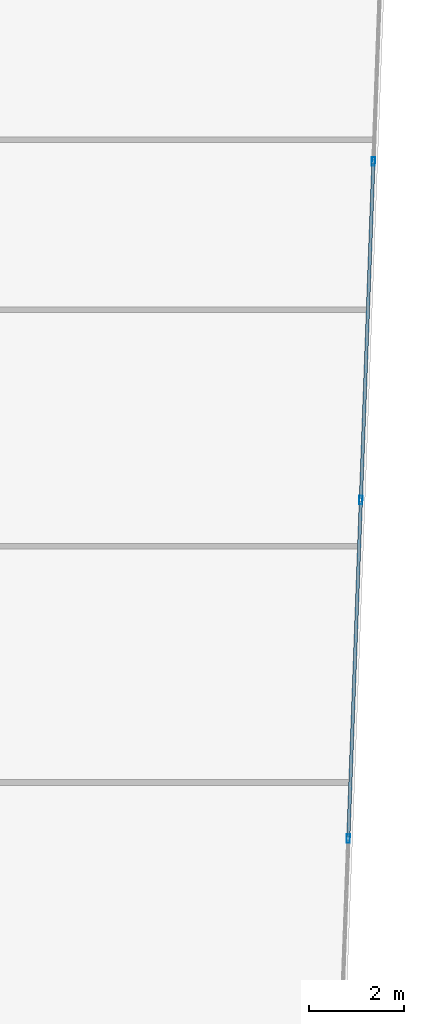
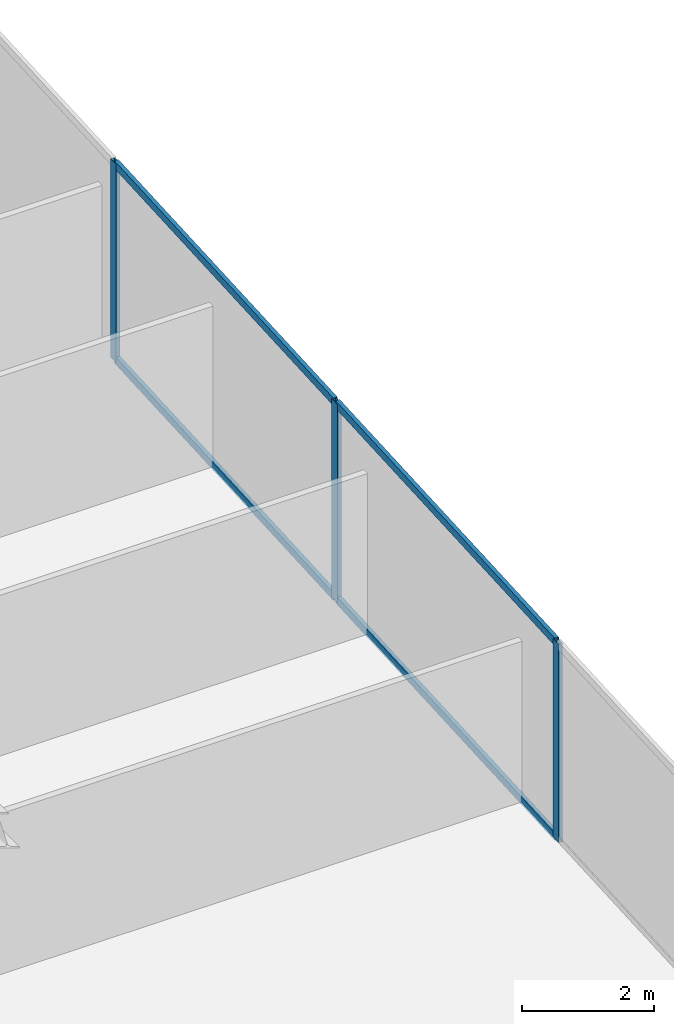
# One storey, part 16 of 30: 7 members, 1 element without a shape of its own.
"""IFC4 building model written with IfcOpenShell, lengths in metres."""

import ifcopenshell
import ifcopenshell.guid

model = None  # the IFC model being written
_history = None  # IfcOwnerHistory: only IFC2X3 demands one
_inside = {}  # id of a spatial element -> (the spatial element, [elements in it])
_under = {}  # id of a project, library or spatial element -> (it, [spatial elements below it])
_declared = {}  # id of a project -> (the project, [libraries it declares])
_typed = {}  # id of a type object -> (the type object, [elements of that type])
_made_of = {}  # id of a material, layer set ... -> (it, [elements and type objects made of it])


def new_model(schema):
    """Start an empty IFC model of exactly this schema.

    Asked for "IFC4X3", IfcOpenShell would pick the latest addendum, in which some entities
    have other attributes; the version numbers below select the first issue.
    IFC2X3 requires an IfcOwnerHistory on every rooted entity: one is made here for all.
    """
    global model, _history
    if schema == "IFC4X3":
        model = ifcopenshell.file(schema_version=(4, 3, 0, 0))
    else:
        model = ifcopenshell.file(schema=schema)
    _inside.clear()
    _under.clear()
    _declared.clear()
    _typed.clear()
    _made_of.clear()
    _history = None
    if model.schema == "IFC2X3":
        org = make("IfcOrganization", Name="unknown")
        user = make(
            "IfcPersonAndOrganization",
            ThePerson=make("IfcPerson", FamilyName="unknown"),
            TheOrganization=org,
        )
        app = make(
            "IfcApplication",
            ApplicationDeveloper=org,
            Version="unknown",
            ApplicationFullName="unknown",
            ApplicationIdentifier="unknown",
        )
        _history = make(
            "IfcOwnerHistory",
            OwningUser=user,
            OwningApplication=app,
            ChangeAction="ADDED",
            CreationDate=0,
        )
    return model


def make(cls, **values):
    """One entity of the class cls with the attributes given. An attribute that is None is left unset."""
    return model.create_entity(
        cls, **{name: value for name, value in values.items() if value is not None}
    )


def rooted(cls, **values):
    """An entity with a GlobalId (a new one), such as an element, a storey or a relation."""
    return make(cls, GlobalId=ifcopenshell.guid.new(), OwnerHistory=_history, **values)


def si_unit(unit_type, name, prefix=None):
    """IfcSIUnit, for example si_unit("LENGTHUNIT", "METRE", prefix="MILLI")."""
    return make("IfcSIUnit", UnitType=unit_type, Prefix=prefix, Name=name)


def assignment(units):
    """IfcUnitAssignment: the units of a project."""
    return None if units is None else make("IfcUnitAssignment", Units=units)


def point(xyz):
    """IfcCartesianPoint."""
    return None if xyz is None else make("IfcCartesianPoint", Coordinates=xyz)


def direction(xyz):
    """IfcDirection."""
    return None if xyz is None else make("IfcDirection", DirectionRatios=xyz)


def frame(location, z_axis=None, x_axis=None):
    """IfcAxis2Placement3D, a coordinate frame: its origin and axes. An axis left out is left unset."""
    return make(
        "IfcAxis2Placement3D",
        Location=point(location),
        Axis=direction(z_axis),
        RefDirection=direction(x_axis),
    )


def frame_2d(location, x_axis=None):
    """IfcAxis2Placement2D, a coordinate frame in the plane: its origin and x axis."""
    return make(
        "IfcAxis2Placement2D", Location=point(location), RefDirection=direction(x_axis)
    )


def origin():
    """The frame at (0, 0, 0) with its axes left unset."""
    return frame((0.0, 0.0, 0.0))


def origin_2d():
    """The frame at (0, 0) in the plane with its x axis left unset."""
    return frame_2d((0.0, 0.0))


def place(relative_to, where):
    """IfcLocalPlacement: puts the frame where relative to a parent placement (None: the world)."""
    return make(
        "IfcLocalPlacement", PlacementRelTo=relative_to, RelativePlacement=where
    )


def context(
    kind, dimensions, precision=None, world=None, true_north=None, identifier=None
):
    """IfcGeometricRepresentationContext, for example the 3D "Model" context."""
    return make(
        "IfcGeometricRepresentationContext",
        ContextIdentifier=identifier,
        ContextType=kind,
        CoordinateSpaceDimension=dimensions,
        Precision=precision,
        WorldCoordinateSystem=world,
        TrueNorth=true_north,
    )


def subcontext(parent, identifier, kind, view, scale=None):
    """IfcGeometricRepresentationSubContext, for example "Body" below "Model"."""
    return make(
        "IfcGeometricRepresentationSubContext",
        ContextIdentifier=identifier,
        ContextType=kind,
        ParentContext=parent,
        TargetScale=scale,
        TargetView=view,
    )


def project(units=None, contexts=None):
    """IfcProject with its units and contexts."""
    return rooted(
        "IfcProject",
        Name="project",
        RepresentationContexts=contexts,
        UnitsInContext=assignment(units),
    )


def spatial(cls, under=None, at=None, **own):
    """A site, building, storey or space (cls), placed at a placement, below another one or the project."""
    s = rooted(cls, ObjectPlacement=at, **own)
    if under is not None:
        _under.setdefault(under.id(), (under, []))[1].append(s)
    return s


def profile(cls, at=None, kind="AREA", **sizes):
    """A parametric profile (cls). Its sizes go by their IFC names, for example OverallWidth=200.0."""
    return make(cls, ProfileType=kind, Position=at, **sizes)


def hollow_rectangle(**sizes):
    """IfcRectangleHollowProfileDef."""
    return profile("IfcRectangleHollowProfileDef", **sizes)


def extrude(swept, where, along, depth):
    """IfcExtrudedAreaSolid: the profile swept, set in the frame where, extruded along a direction by depth."""
    return make(
        "IfcExtrudedAreaSolid",
        SweptArea=swept,
        Position=where,
        ExtrudedDirection=direction(along),
        Depth=depth,
    )


def shape(context_of_items, identifier, shape_type, items):
    """IfcShapeRepresentation: the items that make up one representation, for example the "Body"."""
    return make(
        "IfcShapeRepresentation",
        ContextOfItems=context_of_items,
        RepresentationIdentifier=identifier,
        RepresentationType=shape_type,
        Items=items,
    )


def source(mapping_origin, context_of_items, identifier, shape_type, items):
    """IfcRepresentationMap: a shape defined once, which mapped items show again and again."""
    return make(
        "IfcRepresentationMap",
        MappingOrigin=mapping_origin,
        MappedRepresentation=shape(context_of_items, identifier, shape_type, items),
    )


def transform(
    local_origin,
    x_axis=None,
    y_axis=None,
    z_axis=None,
    scale=None,
    scale2=None,
    scale3=None,
    uniform=True,
):
    """IfcCartesianTransformationOperator3D, or its non-uniform kind. x_axis, y_axis, z_axis: its Axis1, 2, 3."""
    if uniform:
        return make(
            "IfcCartesianTransformationOperator3D",
            Axis1=direction(x_axis),
            Axis2=direction(y_axis),
            LocalOrigin=point(local_origin),
            Scale=scale,
            Axis3=direction(z_axis),
        )
    return make(
        "IfcCartesianTransformationOperator3DnonUniform",
        Axis1=direction(x_axis),
        Axis2=direction(y_axis),
        LocalOrigin=point(local_origin),
        Scale=scale,
        Axis3=direction(z_axis),
        Scale2=scale2,
        Scale3=scale3,
    )


def mapped(mapping_source, mapping_target):
    """IfcMappedItem: shows the shape of a source again, moved by a transform."""
    return make(
        "IfcMappedItem", MappingSource=mapping_source, MappingTarget=mapping_target
    )


def material(Name=None, Category=None):
    """IfcMaterial."""
    return make("IfcMaterial", Name=Name, Category=Category)


def material_profile(
    of_material, cross_section, Name=None, Category=None, Priority=None
):
    """IfcMaterialProfile: a cross section and its material."""
    return make(
        "IfcMaterialProfile",
        Name=Name,
        Material=of_material,
        Profile=cross_section,
        Priority=Priority,
        Category=Category,
    )


def profile_set(profiles, Name=None, composite=None):
    """IfcMaterialProfileSet."""
    return make(
        "IfcMaterialProfileSet",
        Name=Name,
        MaterialProfiles=profiles,
        CompositeProfile=composite,
    )


def made_of(thing, what):
    """Note that an element or type object is made of a material, layer set ...; save() writes the relation."""
    if what is not None:
        _made_of.setdefault(what.id(), (what, []))[1].append(thing)
    return thing


def type_object(cls, material=None, **own):
    """A type object (cls), such as IfcWallType, which elements share."""
    return made_of(rooted(cls, **own), material)


def type_shapes(of_type, sources):
    """Give a type object the sources (RepresentationMaps) that its elements show as mapped items."""
    of_type.RepresentationMaps = sources


def element(
    cls,
    number,
    at=None,
    inside=None,
    cuts=None,
    type_object=None,
    material=None,
    context=None,
    identifier="Body",
    shape_type=None,
    held_by="IfcProductDefinitionShape",
    body=None,
    shapes=None,
    **own,
):
    """One element of the class cls, such as IfcWall. Its Tag is "e" and its number.

    at: its placement. inside: the storey or other place that contains it. cuts: it is an
    opening in that element (IfcRelVoidsElement). A single representation is given by context,
    identifier, shape_type and body (its items); several are given by shapes. held_by: the class
    of the entity that holds the representations. save() writes the other relations.
    """
    e = rooted(cls, Tag="e%d" % number, ObjectPlacement=at, **own)
    if body is not None:
        shapes = [shape(context, identifier, shape_type, body)]
    if shapes is not None:
        e.Representation = make(held_by, Representations=shapes)
    if inside is not None:
        _inside.setdefault(inside.id(), (inside, []))[1].append(e)
    if cuts is not None:
        rooted(
            "IfcRelVoidsElement", RelatingBuildingElement=cuts, RelatedOpeningElement=e
        )
    if type_object is not None:
        _typed.setdefault(type_object.id(), (type_object, []))[1].append(e)
    return made_of(e, material)


def aggregate(whole, parts):
    """IfcRelAggregates: a whole, such as a stair, and the parts it consists of."""
    return rooted("IfcRelAggregates", RelatingObject=whole, RelatedObjects=parts)


def save(model, path):
    """Write the relations noted so far, then the file.

    IfcRelAggregates (storeys below a building ...), IfcRelContainedInSpatialStructure (elements
    in a storey), IfcRelDefinesByType, IfcRelAssociatesMaterial and IfcRelDeclares: one each for
    every whole, place, type object, material and project.
    """
    for whole, parts in _under.values():
        aggregate(whole, parts)
    for where, things in _inside.values():
        rooted(
            "IfcRelContainedInSpatialStructure",
            RelatedElements=things,
            RelatingStructure=where,
        )
    for kind, things in _typed.values():
        rooted("IfcRelDefinesByType", RelatedObjects=things, RelatingType=kind)
    for what, things in _made_of.values():
        rooted("IfcRelAssociatesMaterial", RelatedObjects=things, RelatingMaterial=what)
    for by, libraries in _declared.values():
        rooted("IfcRelDeclares", RelatingContext=by, RelatedDefinitions=libraries)
    model.write(path)


model = new_model("IFC4")

# Units and contexts
model_context = context("Model", 3, precision=1e-05, world=origin(), true_north=direction((0.0, 1.0)))
body_context = subcontext(model_context, "Body", "Model", "MODEL_VIEW")
ifc_project = project(units=[si_unit("LENGTHUNIT", "METRE"), si_unit("AREAUNIT", "SQUARE_METRE"), si_unit("VOLUMEUNIT", "CUBIC_METRE"), si_unit("PLANEANGLEUNIT", "RADIAN"), si_unit("MASSUNIT", "GRAM", prefix="KILO")], contexts=[model_context])

# Site, building, storey
site_placement = place(None, origin())
site = spatial("IfcSite", under=ifc_project, at=site_placement, CompositionType="ELEMENT")
building_placement = place(site_placement, origin())
building = spatial("IfcBuilding", under=site, at=building_placement, Name="Krantzveldt Concourse Tower", CompositionType="ELEMENT")
storey_placement = place(building_placement, frame((0.0, 0.0, 40.800048828125)))
storey = spatial("IfcBuildingStorey", under=building, at=storey_placement, Name="L09", CompositionType="ELEMENT", Elevation=40.800048828125)

# Curtain wall, members
ifc_material = material(Name="Anodised aluminium 6063-T6", Category="aluminium")
curtain_wall_type = type_object("IfcCurtainWallType", Name="CW2", PredefinedType="USERDEFINED", material=ifc_material)
curtain_wall_placement = place(storey_placement, origin())
curtain_wall = element("IfcCurtainWall", 1, at=curtain_wall_placement, inside=storey, type_object=curtain_wall_type, Name="CW-L09-F07", ObjectType="UNITISED CURTAIN WALL", PredefinedType="USERDEFINED")
ifc_material_profile_1 = material_profile(ifc_material, hollow_rectangle(XDim=0.070068359375, YDim=0.179931640625, WallThickness=0.0048828125, at=origin_2d()), Name="Anodised aluminium 6063-T6", Category="aluminium")
ifc_profile_set_1 = profile_set([ifc_material_profile_1], Name="Anodised aluminium 6063-T6 - ALU-MULL 180x70x5")
member_type_1 = type_object("IfcMemberType", Name="CW-MUL-180", PredefinedType="MULLION", material=ifc_profile_set_1)
shared_shape_1 = source(origin(), body_context, "Body", "SweptSolid", [
    extrude(hollow_rectangle(XDim=0.070068359375, YDim=0.179931640625, WallThickness=0.0048828125, at=origin_2d()), origin(), (0.0, 0.0, 1.0), 3.669921875),
])
type_shapes(member_type_1, [shared_shape_1])
member_1_placement = place(storey_placement, frame((60.627197265625, 18.614501953125, 0.0), z_axis=(0.0, 0.0, 1.0), x_axis=(-0.999312308986, 0.037079766834, 0.0)))
member_1 = element("IfcMember", 2, at=member_1_placement, type_object=member_type_1, Name="CW-Z12 mullion 3", PredefinedType="MULLION", context=body_context, shape_type="MappedRepresentation", body=[
    mapped(shared_shape_1, transform((0.0, 0.0, 0.0), x_axis=(1.0, 0.0, 0.0), y_axis=(0.0, 1.0, 0.0), z_axis=(0.0, 0.0, 1.0), scale=1.0)),
])
member_2_placement = place(storey_placement, frame((60.892822265625, 25.7763671875, 0.0), z_axis=(0.0, 0.0, 1.0), x_axis=(-0.999312308986, 0.037079766834, 0.0)))
member_2 = element("IfcMember", 3, at=member_2_placement, type_object=member_type_1, Name="CW-Z12 mullion 4", PredefinedType="MULLION", context=body_context, shape_type="MappedRepresentation", body=[
    mapped(shared_shape_1, transform((0.0, 0.0, 0.0), x_axis=(1.0, 0.0, 0.0), y_axis=(0.0, 1.0, 0.0), z_axis=(0.0, 0.0, 1.0), scale=1.0)),
])
member_3_placement = place(storey_placement, frame((61.15869140625, 32.93798828125, 0.0), z_axis=(0.0, 0.0, 1.0), x_axis=(-0.999312308986, 0.037079766834, 0.0)))
member_3 = element("IfcMember", 4, at=member_3_placement, type_object=member_type_1, Name="CW-Z12 mullion 5", PredefinedType="MULLION", context=body_context, shape_type="MappedRepresentation", body=[
    mapped(shared_shape_1, transform((0.0, 0.0, 0.0), x_axis=(1.0, 0.0, 0.0), y_axis=(0.0, 1.0, 0.0), z_axis=(0.0, 0.0, 1.0), scale=1.0)),
])
ifc_material_profile_2 = material_profile(ifc_material, hollow_rectangle(XDim=0.070068359375, YDim=0.139892578125, WallThickness=0.0048828125, at=origin_2d()), Name="Anodised aluminium 6063-T6", Category="aluminium")
ifc_profile_set_2 = profile_set([ifc_material_profile_2], Name="Anodised aluminium 6063-T6 - ALU-TRAN 140x70x5")
member_type_2 = type_object("IfcMemberType", Name="CW-TRN-150", PredefinedType="USERDEFINED", material=ifc_profile_set_2)
shared_shape_2 = source(origin(), body_context, "Body", "SweptSolid", [
    extrude(hollow_rectangle(XDim=0.070068359375, YDim=0.139892578125, WallThickness=0.0048828125, at=origin_2d()), origin(), (0.0, 0.0, 1.0), 7.0966796875),
])
type_shapes(member_type_2, [shared_shape_2])
member_4_placement = place(storey_placement, frame((60.62841796875, 18.649658203125, 0.034912109375), z_axis=(0.037085459975, 0.999312097724, 0.0), x_axis=(-0.999312097724, 0.037085459975, 0.0)))
member_4 = element("IfcMember", 5, at=member_4_placement, type_object=member_type_2, Name="CW-Z12 transom 3.1", ObjectType="TRANSOM", PredefinedType="USERDEFINED", context=body_context, shape_type="MappedRepresentation", body=[
    mapped(shared_shape_2, transform((0.0, 0.0, 0.0), x_axis=(1.0, 0.0, 0.0), y_axis=(0.0, 1.0, 0.0), z_axis=(0.0, 0.0, 1.0), scale=1.0)),
])
member_5_placement = place(storey_placement, frame((60.62841796875, 18.649658203125, 3.635009765625), z_axis=(0.037085459975, 0.999312097724, 0.0), x_axis=(-0.999312097724, 0.037085459975, 0.0)))
member_5 = element("IfcMember", 6, at=member_5_placement, type_object=member_type_2, Name="CW-Z12 transom 3.2", ObjectType="TRANSOM", PredefinedType="USERDEFINED", context=body_context, shape_type="MappedRepresentation", body=[
    mapped(shared_shape_2, transform((0.0, 0.0, 0.0), x_axis=(1.0, 0.0, 0.0), y_axis=(0.0, 1.0, 0.0), z_axis=(0.0, 0.0, 1.0), scale=1.0)),
])
member_6_placement = place(storey_placement, frame((60.89404296875, 25.811279296875, 0.034912109375), z_axis=(0.037085459975, 0.999312097724, 0.0), x_axis=(-0.999312097724, 0.037085459975, 0.0)))
member_6 = element("IfcMember", 7, at=member_6_placement, type_object=member_type_2, Name="CW-Z12 transom 4.1", ObjectType="TRANSOM", PredefinedType="USERDEFINED", context=body_context, shape_type="MappedRepresentation", body=[
    mapped(shared_shape_2, transform((0.0, 0.0, 0.0), x_axis=(1.0, 0.0, 0.0), y_axis=(0.0, 1.0, 0.0), z_axis=(0.0, 0.0, 1.0), scale=1.0)),
])
member_7_placement = place(storey_placement, frame((60.89404296875, 25.811279296875, 3.635009765625), z_axis=(0.037085459975, 0.999312097724, 0.0), x_axis=(-0.999312097724, 0.037085459975, 0.0)))
member_7 = element("IfcMember", 8, at=member_7_placement, type_object=member_type_2, Name="CW-Z12 transom 4.2", ObjectType="TRANSOM", PredefinedType="USERDEFINED", context=body_context, shape_type="MappedRepresentation", body=[
    mapped(shared_shape_2, transform((0.0, 0.0, 0.0), x_axis=(1.0, 0.0, 0.0), y_axis=(0.0, 1.0, 0.0), z_axis=(0.0, 0.0, 1.0), scale=1.0)),
])
aggregate(curtain_wall, [member_1, member_2, member_3, member_4, member_5, member_6, member_7])

save(model, "model.ifc")
